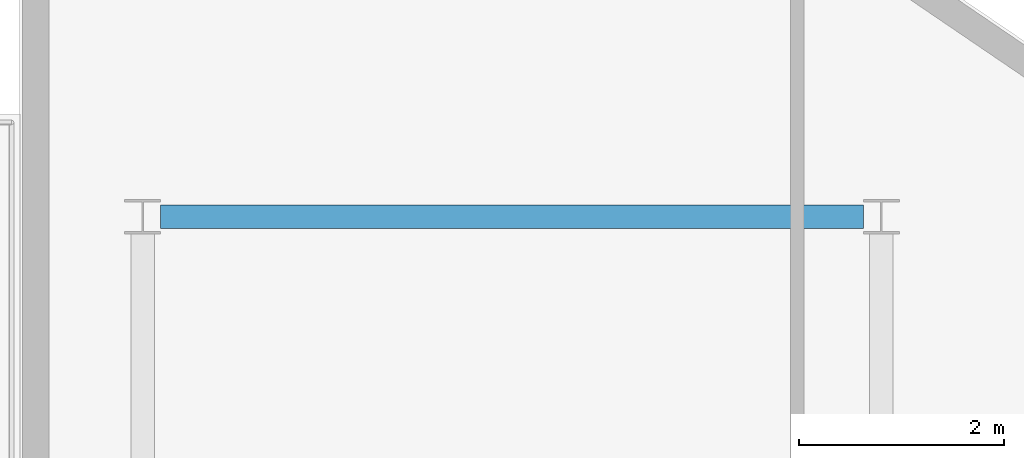
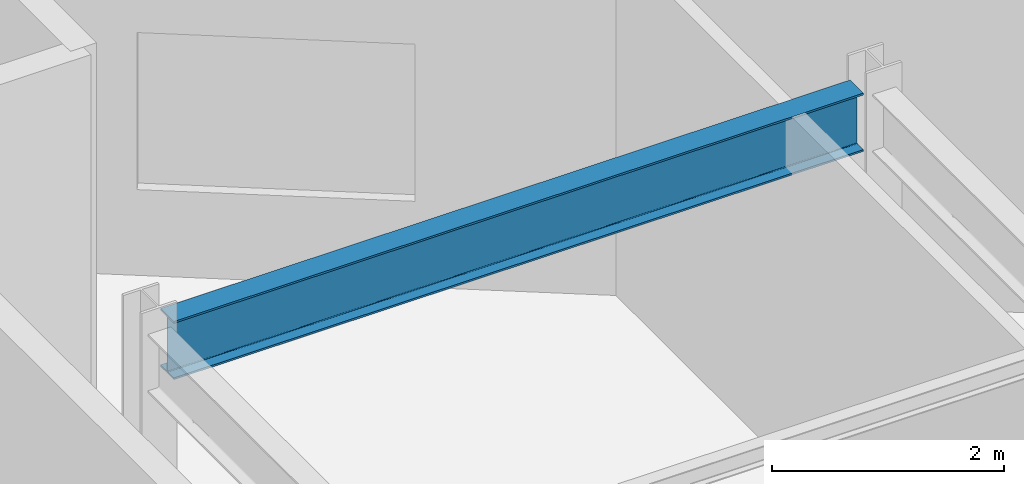
# One storey, part 9 of 21: 1 beam.
"""IFC4 building model written with IfcOpenShell, lengths in metres."""

from ifc_helpers import new_model, si_unit, direction, frame, origin, origin_2d, place, context, subcontext, project, spatial, i_section, extrude, material, material_profile, profile_set, type_object, element, save


model = new_model("IFC4")

# Units and contexts
model_context = context("Model", 3, precision=1e-05, world=origin(), true_north=direction((0.0, 1.0)))
body_context = subcontext(model_context, "Body", "Model", "MODEL_VIEW")
ifc_project = project(units=[si_unit("LENGTHUNIT", "METRE"), si_unit("AREAUNIT", "SQUARE_METRE"), si_unit("VOLUMEUNIT", "CUBIC_METRE"), si_unit("PLANEANGLEUNIT", "RADIAN"), si_unit("MASSUNIT", "GRAM", prefix="KILO")], contexts=[model_context])

# Site, building, storey
site_placement = place(None, origin())
site = spatial("IfcSite", under=ifc_project, at=site_placement, CompositionType="ELEMENT")
building_placement = place(site_placement, origin())
building = spatial("IfcBuilding", under=site, at=building_placement, Name="Varnakote Quay Hospital", CompositionType="ELEMENT")
storey_placement = place(building_placement, frame((0.0, 0.0, 34.35009765625)))
storey = spatial("IfcBuildingStorey", under=building, at=storey_placement, Name="L08", CompositionType="ELEMENT", Elevation=34.35009765625)

# Beam
ifc_material = material(Name="Structural steel AS/NZS 3679.1 Grade 350 L0 (fy 340 MPa)", Category="steel")
ifc_material_profile = material_profile(ifc_material, i_section(OverallWidth=0.22900390625, OverallDepth=0.612060546875, WebThickness=0.011962890625, FlangeThickness=0.01953125, FilletRadius=0.013916015625, at=origin_2d()), Name="610UB125")
ifc_profile_set = profile_set([ifc_material_profile], Name="Structural steel AS/NZS 3679.1 Grade 350 L0 (fy 340 MPa)")
beam_type = type_object("IfcBeamType", Name="BM-STL-610UB125", PredefinedType="BEAM", material=ifc_profile_set)
beam_placement = place(storey_placement, frame((1.375, 37.199951171875, 3.40380859375), z_axis=(1.0, 0.0, 0.0), x_axis=(0.0, 1.0, 0.0)))
element("IfcBeam", 1, at=beam_placement, inside=storey, type_object=beam_type, Name="L08 Primary Floor Beam", PredefinedType="BEAM", context=body_context, shape_type="SweptSolid", body=[
    extrude(i_section(OverallWidth=0.22900390625, OverallDepth=0.612060546875, WebThickness=0.011962890625, FlangeThickness=0.01953125, FilletRadius=0.013916015625, at=origin_2d()), origin(), (0.0, 0.0, 1.0), 6.85009765625),
])

save(model, "model.ifc")
